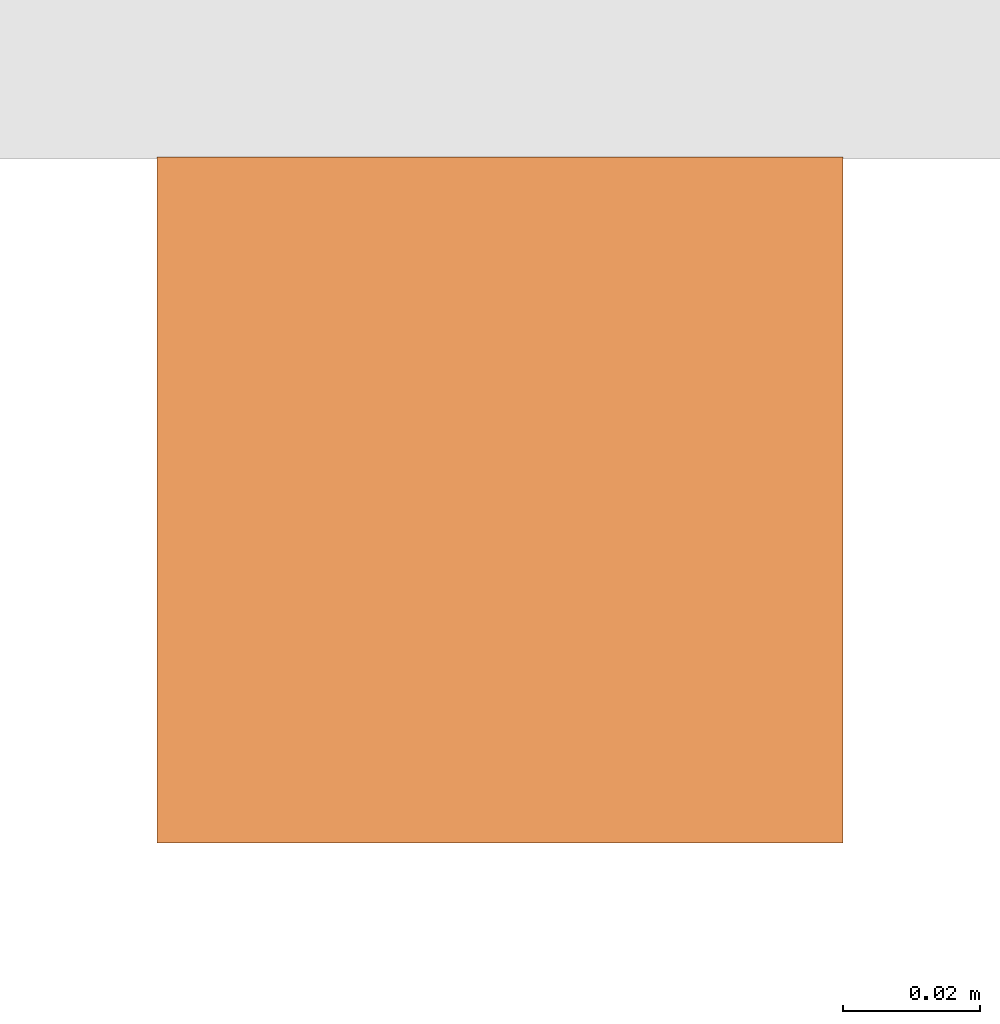
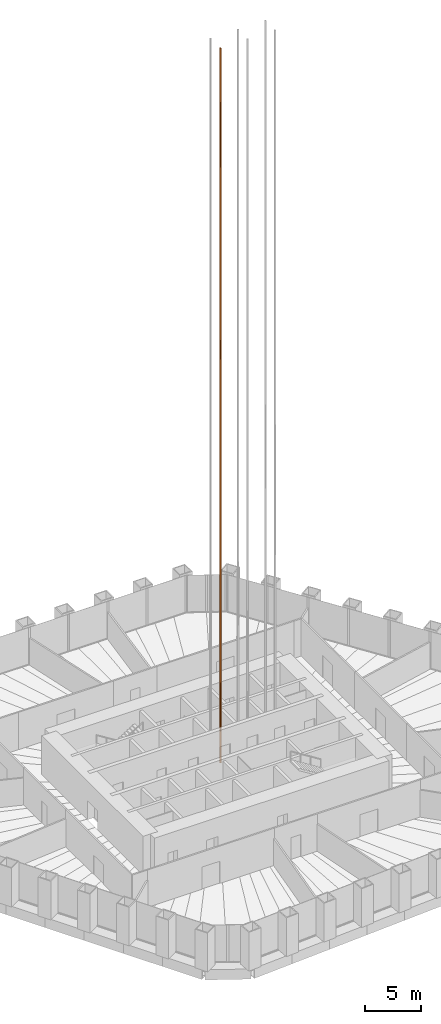
# One storey, part 15 of 20: 1 proxy.
"""IFC4 building model written with IfcOpenShell, lengths in metres."""

from ifc_helpers import new_model, si_unit, direction, frame, origin, origin_2d, place, context, subcontext, project, spatial, rectangle, extrude, material, type_object, element, save


model = new_model("IFC4")

# Units and contexts
model_context = context("Model", 3, precision=1e-05, world=origin(), true_north=direction((0.0, 1.0)))
body_context = subcontext(model_context, "Body", "Model", "MODEL_VIEW")
ifc_project = project(units=[si_unit("LENGTHUNIT", "METRE"), si_unit("AREAUNIT", "SQUARE_METRE"), si_unit("VOLUMEUNIT", "CUBIC_METRE"), si_unit("PLANEANGLEUNIT", "RADIAN"), si_unit("MASSUNIT", "GRAM", prefix="KILO")], contexts=[model_context])

# Site, building, storey
site_placement = place(None, origin())
site = spatial("IfcSite", under=ifc_project, at=site_placement, CompositionType="ELEMENT")
building_placement = place(site_placement, origin())
building = spatial("IfcBuilding", under=site, at=building_placement, Name="Qingtian Harvest Tower", CompositionType="ELEMENT")
storey_placement = place(building_placement, frame((0.0, 0.0, 103.0)))
storey = spatial("IfcBuildingStorey", under=building, at=storey_placement, Name="L20", CompositionType="ELEMENT", Elevation=103.0)

# Proxy
ifc_material = material(Name="Steel SN490B", Category="steel")
building_element_proxy_type = type_object("IfcBuildingElementProxyType", Name="Lift guide rail LR1", PredefinedType="NOTDEFINED", material=ifc_material)
proxy_placement = place(storey_placement, frame((1.89990234375, 2.675048828125, 0.0), z_axis=(0.0, 0.0, 1.0), x_axis=(1.0, 0.0, 0.0)))
element("IfcBuildingElementProxy", 1, at=proxy_placement, inside=storey, type_object=building_element_proxy_type, Name="Lift PLB1 guide rail 1", PredefinedType="NOTDEFINED", context=body_context, shape_type="SweptSolid", body=[
    extrude(rectangle(XDim=0.10009765625, YDim=0.10009765625, at=origin_2d()), origin(), (0.0, 0.0, 1.0), 77.39990234375),
])

save(model, "model.ifc")
